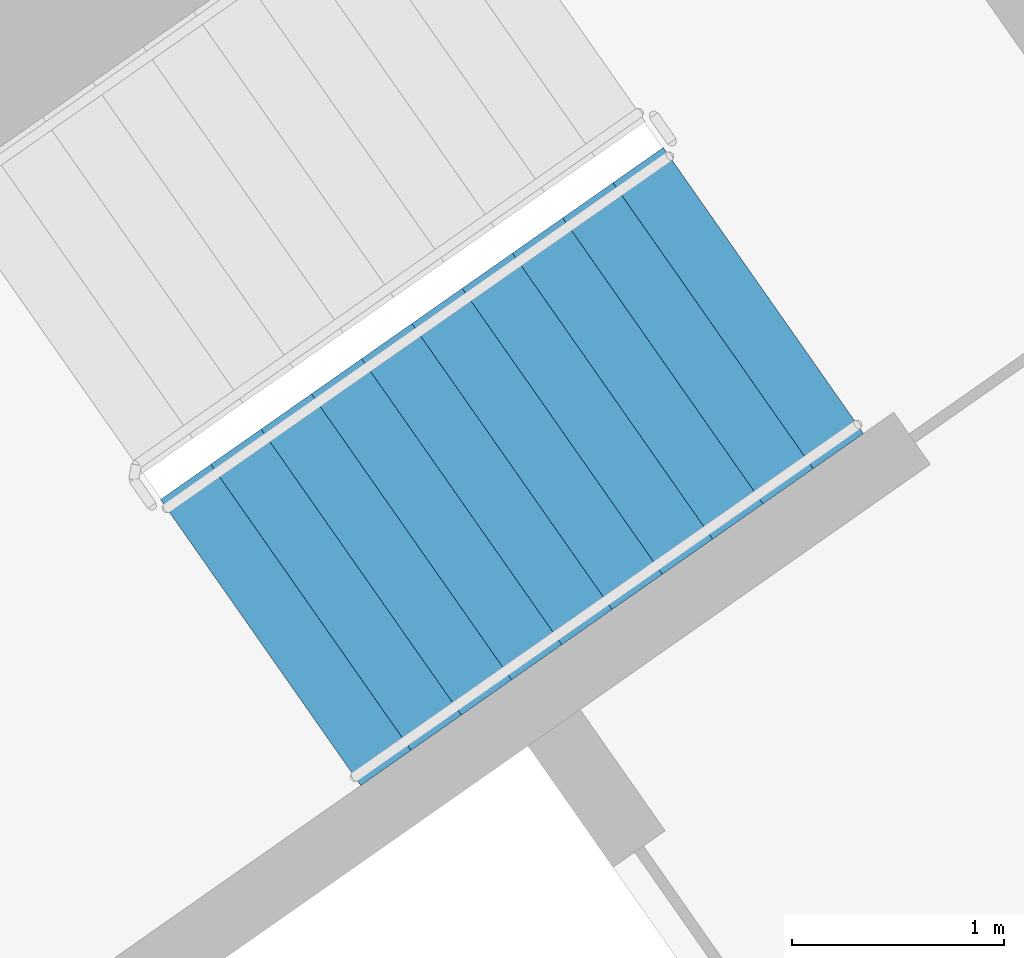
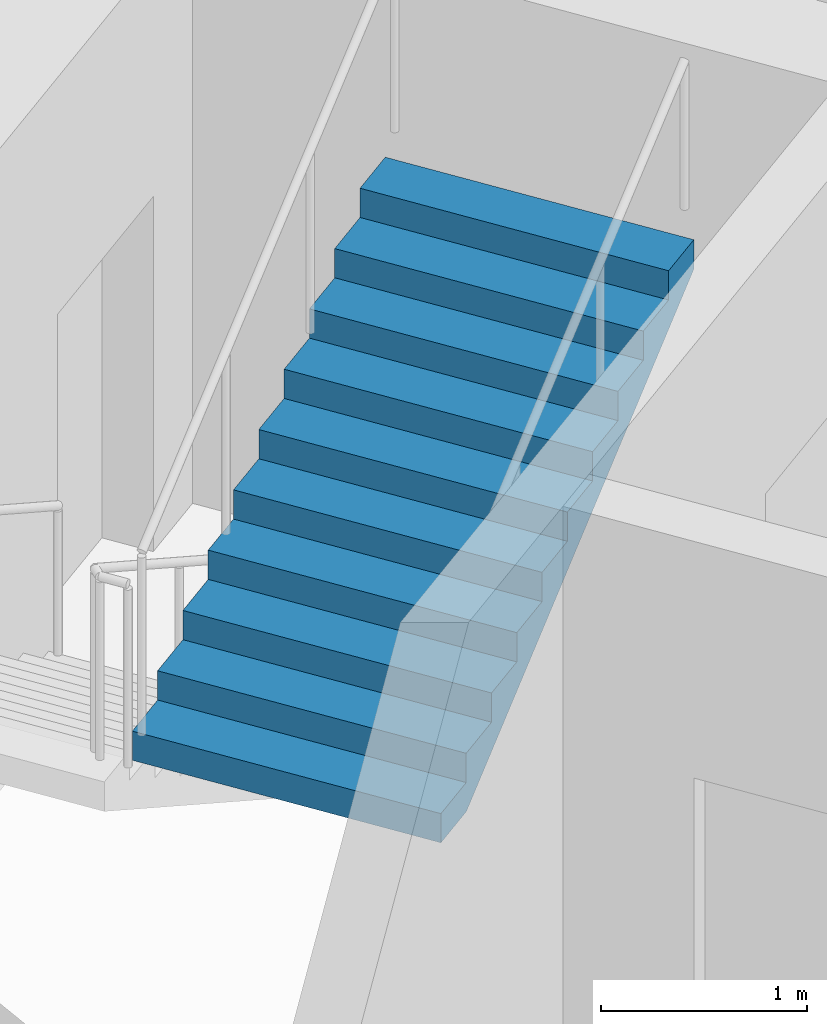
# One storey, part 15 of 27: 1 stair flight, 1 element without a shape of its own.
"""IFC4 building model written with IfcOpenShell, lengths in metres."""

from ifc_helpers import new_model, si_unit, direction, frame, origin, place, context, subcontext, project, spatial, faceted_brep, material, type_object, element, aggregate, save


model = new_model("IFC4")

# Units and contexts
model_context = context("Model", 3, precision=1e-05, world=origin(), true_north=direction((0.0, 1.0)))
body_context = subcontext(model_context, "Body", "Model", "MODEL_VIEW")
ifc_project = project(units=[si_unit("LENGTHUNIT", "METRE"), si_unit("AREAUNIT", "SQUARE_METRE"), si_unit("VOLUMEUNIT", "CUBIC_METRE"), si_unit("PLANEANGLEUNIT", "RADIAN"), si_unit("MASSUNIT", "GRAM", prefix="KILO")], contexts=[model_context])

# Site, building, storey
site_placement = place(None, origin())
site = spatial("IfcSite", under=ifc_project, at=site_placement, CompositionType="ELEMENT")
building_placement = place(site_placement, origin())
building = spatial("IfcBuilding", under=site, at=building_placement, Name="Qamariyya Broadcast Tower", CompositionType="ELEMENT")
storey_placement = place(building_placement, frame((0.0, 0.0, 164.5)))
storey = spatial("IfcBuildingStorey", under=building, at=storey_placement, Name="L38", CompositionType="ELEMENT", Elevation=164.5)

# Stair, stair flight
ifc_material = material(Name="Concrete C50/60", Category="concrete")
stair_type = type_object("IfcStairType", Name="Exit stair 22 risers of 173 mm", PredefinedType="HALF_TURN_STAIR", material=ifc_material)
stair_placement = place(storey_placement, origin())
stair = element("IfcStair", 1, at=stair_placement, inside=storey, type_object=stair_type, Name="L38 Stair E2", PredefinedType="HALF_TURN_STAIR")
stair_flight_type = type_object("IfcStairFlightType", Name="Exit stair flight 11 risers of 173 mm", PredefinedType="STRAIGHT", material=ifc_material)
stair_flight_placement = place(storey_placement, frame((39.215576171875, -50.822998046875, 1.89990234375), z_axis=(0.0, 0.0, 1.0), x_axis=(0.819152044289, 0.573576436351, 0.0)))
stair_flight = element("IfcStairFlight", 2, at=stair_flight_placement, type_object=stair_flight_type, Name="ST-E2 flight 2", NumberOfRisers=11, NumberOfTreads=10, PredefinedType="STRAIGHT", RiserHeight=0.172727273, TreadLength=0.29, context=body_context, shape_type="Brep", body=[
    faceted_brep([(0.0, 0.824951171875, 0.0), (0.0, 0.824951171875, 0.172607421875), (0.2900390625, 0.824951171875, 0.172607421875), (0.2900390625, 0.824951171875, 0.345458984375), (0.580078125, 0.824951171875, 0.345458984375), (0.580078125, 0.824951171875, 0.51806640625), (0.8701171875, 0.824951171875, 0.51806640625), (0.8701171875, 0.824951171875, 0.69091796875), (1.159912109375, 0.824951171875, 0.69091796875), (1.159912109375, 0.824951171875, 0.863525390625), (1.449951171875, 0.824951171875, 0.863525390625), (1.449951171875, 0.824951171875, 1.036376953125), (1.739990234375, 0.824951171875, 1.036376953125), (1.739990234375, 0.824951171875, 1.208984375), (2.030029296875, 0.824951171875, 1.208984375), (2.030029296875, 0.824951171875, 1.3818359375), (2.320068359375, 0.824951171875, 1.3818359375), (2.320068359375, 0.824951171875, 1.554443359375), (2.610107421875, 0.824951171875, 1.554443359375), (2.610107421875, 0.824951171875, 1.727294921875), (2.89990234375, 0.824951171875, 1.727294921875), (2.89990234375, 0.824951171875, 1.552734375), (0.29296875, 0.824951171875, 0.0), (0.29296875, -0.824951171875, 0.0), (2.89990234375, -0.824951171875, 1.552734375), (2.89990234375, -0.824951171875, 1.727294921875), (2.610107421875, -0.824951171875, 1.727294921875), (2.610107421875, -0.824951171875, 1.554443359375), (2.320068359375, -0.824951171875, 1.554443359375), (2.320068359375, -0.824951171875, 1.3818359375), (2.030029296875, -0.824951171875, 1.3818359375), (2.030029296875, -0.824951171875, 1.208984375), (1.739990234375, -0.824951171875, 1.208984375), (1.739990234375, -0.824951171875, 1.036376953125), (1.449951171875, -0.824951171875, 1.036376953125), (1.449951171875, -0.824951171875, 0.863525390625), (1.159912109375, -0.824951171875, 0.863525390625), (1.159912109375, -0.824951171875, 0.69091796875), (0.8701171875, -0.824951171875, 0.69091796875), (0.8701171875, -0.824951171875, 0.51806640625), (0.580078125, -0.824951171875, 0.51806640625), (0.580078125, -0.824951171875, 0.345458984375), (0.2900390625, -0.824951171875, 0.345458984375), (0.2900390625, -0.824951171875, 0.172607421875), (0.0, -0.824951171875, 0.172607421875), (0.0, -0.824951171875, 0.0), (0.0, 0.10009765625, 0.0), (0.0, 0.086669921875, 0.0), (0.0, 0.0732421875, 0.0), (0.0, 0.06005859375, 0.0), (0.0, 0.046630859375, 0.0), (0.0, 0.033447265625, 0.0), (0.0, 0.02001953125, 0.0), (0.0, 0.006591796875, 0.0), (0.0, -0.006591796875, 0.0), (0.0, -0.02001953125, 0.0), (0.0, -0.033447265625, 0.0), (0.0, -0.046630859375, 0.0), (0.0, -0.06005859375, 0.0), (0.0, -0.0732421875, 0.0), (0.0, -0.086669921875, 0.0), (0.0, -0.10009765625, 0.0), (0.0, -0.10009765625, 0.172607421875), (0.0, -0.086669921875, 0.172607421875), (0.0, -0.0732421875, 0.172607421875), (0.0, -0.06005859375, 0.172607421875), (0.0, -0.046630859375, 0.172607421875), (0.0, -0.033447265625, 0.172607421875), (0.0, -0.02001953125, 0.172607421875), (0.0, -0.006591796875, 0.172607421875), (0.0, 0.006591796875, 0.172607421875), (0.0, 0.02001953125, 0.172607421875), (0.0, 0.033447265625, 0.172607421875), (0.0, 0.046630859375, 0.172607421875), (0.0, 0.06005859375, 0.172607421875), (0.0, 0.0732421875, 0.172607421875), (0.0, 0.086669921875, 0.172607421875), (0.0, 0.10009765625, 0.172607421875), (0.2900390625, -0.10009765625, 0.172607421875), (0.2900390625, -0.086669921875, 0.172607421875), (0.2900390625, -0.0732421875, 0.172607421875), (0.2900390625, -0.06005859375, 0.172607421875), (0.2900390625, -0.046630859375, 0.172607421875), (0.2900390625, -0.033447265625, 0.172607421875), (0.2900390625, -0.02001953125, 0.172607421875), (0.2900390625, -0.006591796875, 0.172607421875), (0.2900390625, 0.006591796875, 0.172607421875), (0.2900390625, 0.02001953125, 0.172607421875), (0.2900390625, 0.033447265625, 0.172607421875), (0.2900390625, 0.046630859375, 0.172607421875), (0.2900390625, 0.06005859375, 0.172607421875), (0.2900390625, 0.0732421875, 0.172607421875), (0.2900390625, 0.086669921875, 0.172607421875), (0.2900390625, 0.10009765625, 0.172607421875), (0.2900390625, -0.10009765625, 0.345458984375), (0.2900390625, -0.086669921875, 0.345458984375), (0.2900390625, -0.0732421875, 0.345458984375), (0.2900390625, -0.06005859375, 0.345458984375), (0.2900390625, -0.046630859375, 0.345458984375), (0.2900390625, -0.033447265625, 0.345458984375), (0.2900390625, -0.02001953125, 0.345458984375), (0.2900390625, -0.006591796875, 0.345458984375), (0.2900390625, 0.006591796875, 0.345458984375), (0.2900390625, 0.02001953125, 0.345458984375), (0.2900390625, 0.033447265625, 0.345458984375), (0.2900390625, 0.046630859375, 0.345458984375), (0.2900390625, 0.06005859375, 0.345458984375), (0.2900390625, 0.0732421875, 0.345458984375), (0.2900390625, 0.086669921875, 0.345458984375), (0.2900390625, 0.10009765625, 0.345458984375), (0.580078125, -0.10009765625, 0.345458984375), (0.580078125, -0.086669921875, 0.345458984375), (0.580078125, -0.0732421875, 0.345458984375), (0.580078125, -0.06005859375, 0.345458984375), (0.580078125, -0.046630859375, 0.345458984375), (0.580078125, -0.033447265625, 0.345458984375), (0.580078125, -0.02001953125, 0.345458984375), (0.580078125, -0.006591796875, 0.345458984375), (0.580078125, 0.006591796875, 0.345458984375), (0.580078125, 0.02001953125, 0.345458984375), (0.580078125, 0.033447265625, 0.345458984375), (0.580078125, 0.046630859375, 0.345458984375), (0.580078125, 0.06005859375, 0.345458984375), (0.580078125, 0.0732421875, 0.345458984375), (0.580078125, 0.086669921875, 0.345458984375), (0.580078125, 0.10009765625, 0.345458984375), (0.580078125, -0.10009765625, 0.51806640625), (0.580078125, -0.086669921875, 0.51806640625), (0.580078125, -0.0732421875, 0.51806640625), (0.580078125, -0.06005859375, 0.51806640625), (0.580078125, -0.046630859375, 0.51806640625), (0.580078125, -0.033447265625, 0.51806640625), (0.580078125, -0.02001953125, 0.51806640625), (0.580078125, -0.006591796875, 0.51806640625), (0.580078125, 0.006591796875, 0.51806640625), (0.580078125, 0.02001953125, 0.51806640625), (0.580078125, 0.033447265625, 0.51806640625), (0.580078125, 0.046630859375, 0.51806640625), (0.580078125, 0.06005859375, 0.51806640625), (0.580078125, 0.0732421875, 0.51806640625), (0.580078125, 0.086669921875, 0.51806640625), (0.580078125, 0.10009765625, 0.51806640625), (0.8701171875, -0.10009765625, 0.51806640625), (0.8701171875, -0.086669921875, 0.51806640625), (0.8701171875, -0.0732421875, 0.51806640625), (0.8701171875, -0.06005859375, 0.51806640625), (0.8701171875, -0.046630859375, 0.51806640625), (0.8701171875, -0.033447265625, 0.51806640625), (0.8701171875, -0.02001953125, 0.51806640625), (0.8701171875, -0.006591796875, 0.51806640625), (0.8701171875, 0.006591796875, 0.51806640625), (0.8701171875, 0.02001953125, 0.51806640625), (0.8701171875, 0.033447265625, 0.51806640625), (0.8701171875, 0.046630859375, 0.51806640625), (0.8701171875, 0.06005859375, 0.51806640625), (0.8701171875, 0.0732421875, 0.51806640625), (0.8701171875, 0.086669921875, 0.51806640625), (0.8701171875, 0.10009765625, 0.51806640625), (0.8701171875, -0.10009765625, 0.69091796875), (0.8701171875, -0.086669921875, 0.69091796875), (0.8701171875, -0.0732421875, 0.69091796875), (0.8701171875, -0.06005859375, 0.69091796875), (0.8701171875, -0.046630859375, 0.69091796875), (0.8701171875, -0.033447265625, 0.69091796875), (0.8701171875, -0.02001953125, 0.69091796875), (0.8701171875, -0.006591796875, 0.69091796875), (0.8701171875, 0.006591796875, 0.69091796875), (0.8701171875, 0.02001953125, 0.69091796875), (0.8701171875, 0.033447265625, 0.69091796875), (0.8701171875, 0.046630859375, 0.69091796875), (0.8701171875, 0.06005859375, 0.69091796875), (0.8701171875, 0.0732421875, 0.69091796875), (0.8701171875, 0.086669921875, 0.69091796875), (0.8701171875, 0.10009765625, 0.69091796875), (1.159912109375, -0.10009765625, 0.69091796875), (1.159912109375, -0.086669921875, 0.69091796875), (1.159912109375, -0.0732421875, 0.69091796875), (1.159912109375, -0.06005859375, 0.69091796875), (1.159912109375, -0.046630859375, 0.69091796875), (1.159912109375, -0.033447265625, 0.69091796875), (1.159912109375, -0.02001953125, 0.69091796875), (1.159912109375, -0.006591796875, 0.69091796875), (1.159912109375, 0.006591796875, 0.69091796875), (1.159912109375, 0.02001953125, 0.69091796875), (1.159912109375, 0.033447265625, 0.69091796875), (1.159912109375, 0.046630859375, 0.69091796875), (1.159912109375, 0.06005859375, 0.69091796875), (1.159912109375, 0.0732421875, 0.69091796875), (1.159912109375, 0.086669921875, 0.69091796875), (1.159912109375, 0.10009765625, 0.69091796875), (1.159912109375, -0.10009765625, 0.863525390625), (1.159912109375, -0.086669921875, 0.863525390625), (1.159912109375, -0.0732421875, 0.863525390625), (1.159912109375, -0.06005859375, 0.863525390625), (1.159912109375, -0.046630859375, 0.863525390625), (1.159912109375, -0.033447265625, 0.863525390625), (1.159912109375, -0.02001953125, 0.863525390625), (1.159912109375, -0.006591796875, 0.863525390625), (1.159912109375, 0.006591796875, 0.863525390625), (1.159912109375, 0.02001953125, 0.863525390625), (1.159912109375, 0.033447265625, 0.863525390625), (1.159912109375, 0.046630859375, 0.863525390625), (1.159912109375, 0.06005859375, 0.863525390625), (1.159912109375, 0.0732421875, 0.863525390625), (1.159912109375, 0.086669921875, 0.863525390625), (1.159912109375, 0.10009765625, 0.863525390625), (1.449951171875, -0.10009765625, 0.863525390625), (1.449951171875, -0.086669921875, 0.863525390625), (1.449951171875, -0.0732421875, 0.863525390625), (1.449951171875, -0.06005859375, 0.863525390625), (1.449951171875, -0.046630859375, 0.863525390625), (1.449951171875, -0.033447265625, 0.863525390625), (1.449951171875, -0.02001953125, 0.863525390625), (1.449951171875, -0.006591796875, 0.863525390625), (1.449951171875, 0.006591796875, 0.863525390625), (1.449951171875, 0.02001953125, 0.863525390625), (1.449951171875, 0.033447265625, 0.863525390625), (1.449951171875, 0.046630859375, 0.863525390625), (1.449951171875, 0.06005859375, 0.863525390625), (1.449951171875, 0.0732421875, 0.863525390625), (1.449951171875, 0.086669921875, 0.863525390625), (1.449951171875, 0.10009765625, 0.863525390625), (1.449951171875, -0.10009765625, 1.036376953125), (1.449951171875, -0.086669921875, 1.036376953125), (1.449951171875, -0.0732421875, 1.036376953125), (1.449951171875, -0.06005859375, 1.036376953125), (1.449951171875, -0.046630859375, 1.036376953125), (1.449951171875, -0.033447265625, 1.036376953125), (1.449951171875, -0.02001953125, 1.036376953125), (1.449951171875, -0.006591796875, 1.036376953125), (1.449951171875, 0.006591796875, 1.036376953125), (1.449951171875, 0.02001953125, 1.036376953125), (1.449951171875, 0.033447265625, 1.036376953125), (1.449951171875, 0.046630859375, 1.036376953125), (1.449951171875, 0.06005859375, 1.036376953125), (1.449951171875, 0.0732421875, 1.036376953125), (1.449951171875, 0.086669921875, 1.036376953125), (1.449951171875, 0.10009765625, 1.036376953125), (1.739990234375, -0.10009765625, 1.036376953125), (1.739990234375, -0.086669921875, 1.036376953125), (1.739990234375, -0.0732421875, 1.036376953125), (1.739990234375, -0.06005859375, 1.036376953125), (1.739990234375, -0.046630859375, 1.036376953125), (1.739990234375, -0.033447265625, 1.036376953125), (1.739990234375, -0.02001953125, 1.036376953125), (1.739990234375, -0.006591796875, 1.036376953125), (1.739990234375, 0.006591796875, 1.036376953125), (1.739990234375, 0.02001953125, 1.036376953125), (1.739990234375, 0.033447265625, 1.036376953125), (1.739990234375, 0.046630859375, 1.036376953125), (1.739990234375, 0.06005859375, 1.036376953125), (1.739990234375, 0.0732421875, 1.036376953125), (1.739990234375, 0.086669921875, 1.036376953125), (1.739990234375, 0.10009765625, 1.036376953125), (1.739990234375, -0.10009765625, 1.208984375), (1.739990234375, -0.086669921875, 1.208984375), (1.739990234375, -0.0732421875, 1.208984375), (1.739990234375, -0.06005859375, 1.208984375), (1.739990234375, -0.046630859375, 1.208984375), (1.739990234375, -0.033447265625, 1.208984375), (1.739990234375, -0.02001953125, 1.208984375), (1.739990234375, -0.006591796875, 1.208984375), (1.739990234375, 0.006591796875, 1.208984375), (1.739990234375, 0.02001953125, 1.208984375), (1.739990234375, 0.033447265625, 1.208984375), (1.739990234375, 0.046630859375, 1.208984375), (1.739990234375, 0.06005859375, 1.208984375), (1.739990234375, 0.0732421875, 1.208984375), (1.739990234375, 0.086669921875, 1.208984375), (1.739990234375, 0.10009765625, 1.208984375), (2.030029296875, -0.10009765625, 1.208984375), (2.030029296875, -0.086669921875, 1.208984375), (2.030029296875, -0.0732421875, 1.208984375), (2.030029296875, -0.06005859375, 1.208984375), (2.030029296875, -0.046630859375, 1.208984375), (2.030029296875, -0.033447265625, 1.208984375), (2.030029296875, -0.02001953125, 1.208984375), (2.030029296875, -0.006591796875, 1.208984375), (2.030029296875, 0.006591796875, 1.208984375), (2.030029296875, 0.02001953125, 1.208984375), (2.030029296875, 0.033447265625, 1.208984375), (2.030029296875, 0.046630859375, 1.208984375), (2.030029296875, 0.06005859375, 1.208984375), (2.030029296875, 0.0732421875, 1.208984375), (2.030029296875, 0.086669921875, 1.208984375), (2.030029296875, 0.10009765625, 1.208984375), (2.030029296875, -0.10009765625, 1.3818359375), (2.030029296875, -0.086669921875, 1.3818359375), (2.030029296875, -0.0732421875, 1.3818359375), (2.030029296875, -0.06005859375, 1.3818359375), (2.030029296875, -0.046630859375, 1.3818359375), (2.030029296875, -0.033447265625, 1.3818359375), (2.030029296875, -0.02001953125, 1.3818359375), (2.030029296875, -0.006591796875, 1.3818359375), (2.030029296875, 0.006591796875, 1.3818359375), (2.030029296875, 0.02001953125, 1.3818359375), (2.030029296875, 0.033447265625, 1.3818359375), (2.030029296875, 0.046630859375, 1.3818359375), (2.030029296875, 0.06005859375, 1.3818359375), (2.030029296875, 0.0732421875, 1.3818359375), (2.030029296875, 0.086669921875, 1.3818359375), (2.030029296875, 0.10009765625, 1.3818359375), (2.320068359375, -0.10009765625, 1.3818359375), (2.320068359375, -0.086669921875, 1.3818359375), (2.320068359375, -0.0732421875, 1.3818359375), (2.320068359375, -0.06005859375, 1.3818359375), (2.320068359375, -0.046630859375, 1.3818359375), (2.320068359375, -0.033447265625, 1.3818359375), (2.320068359375, -0.02001953125, 1.3818359375), (2.320068359375, -0.006591796875, 1.3818359375), (2.320068359375, 0.006591796875, 1.3818359375), (2.320068359375, 0.02001953125, 1.3818359375), (2.320068359375, 0.033447265625, 1.3818359375), (2.320068359375, 0.046630859375, 1.3818359375), (2.320068359375, 0.06005859375, 1.3818359375), (2.320068359375, 0.0732421875, 1.3818359375), (2.320068359375, 0.086669921875, 1.3818359375), (2.320068359375, 0.10009765625, 1.3818359375), (2.320068359375, -0.10009765625, 1.554443359375), (2.320068359375, -0.086669921875, 1.554443359375), (2.320068359375, -0.0732421875, 1.554443359375), (2.320068359375, -0.06005859375, 1.554443359375), (2.320068359375, -0.046630859375, 1.554443359375), (2.320068359375, -0.033447265625, 1.554443359375), (2.320068359375, -0.02001953125, 1.554443359375), (2.320068359375, -0.006591796875, 1.554443359375), (2.320068359375, 0.006591796875, 1.554443359375), (2.320068359375, 0.02001953125, 1.554443359375), (2.320068359375, 0.033447265625, 1.554443359375), (2.320068359375, 0.046630859375, 1.554443359375), (2.320068359375, 0.06005859375, 1.554443359375), (2.320068359375, 0.0732421875, 1.554443359375), (2.320068359375, 0.086669921875, 1.554443359375), (2.320068359375, 0.10009765625, 1.554443359375), (2.610107421875, -0.10009765625, 1.554443359375), (2.610107421875, -0.086669921875, 1.554443359375), (2.610107421875, -0.0732421875, 1.554443359375), (2.610107421875, -0.06005859375, 1.554443359375), (2.610107421875, -0.046630859375, 1.554443359375), (2.610107421875, -0.033447265625, 1.554443359375), (2.610107421875, -0.02001953125, 1.554443359375), (2.610107421875, -0.006591796875, 1.554443359375), (2.610107421875, 0.006591796875, 1.554443359375), (2.610107421875, 0.02001953125, 1.554443359375), (2.610107421875, 0.033447265625, 1.554443359375), (2.610107421875, 0.046630859375, 1.554443359375), (2.610107421875, 0.06005859375, 1.554443359375), (2.610107421875, 0.0732421875, 1.554443359375), (2.610107421875, 0.086669921875, 1.554443359375), (2.610107421875, 0.10009765625, 1.554443359375), (2.610107421875, -0.10009765625, 1.727294921875), (2.610107421875, -0.086669921875, 1.727294921875), (2.610107421875, -0.0732421875, 1.727294921875), (2.610107421875, -0.06005859375, 1.727294921875), (2.610107421875, -0.046630859375, 1.727294921875), (2.610107421875, -0.033447265625, 1.727294921875), (2.610107421875, -0.02001953125, 1.727294921875), (2.610107421875, -0.006591796875, 1.727294921875), (2.610107421875, 0.006591796875, 1.727294921875), (2.610107421875, 0.02001953125, 1.727294921875), (2.610107421875, 0.033447265625, 1.727294921875), (2.610107421875, 0.046630859375, 1.727294921875), (2.610107421875, 0.06005859375, 1.727294921875), (2.610107421875, 0.0732421875, 1.727294921875), (2.610107421875, 0.086669921875, 1.727294921875), (2.610107421875, 0.10009765625, 1.727294921875), (2.89990234375, -0.10009765625, 1.727294921875), (2.89990234375, -0.086669921875, 1.727294921875), (2.89990234375, -0.0732421875, 1.727294921875), (2.89990234375, -0.06005859375, 1.727294921875), (2.89990234375, -0.046630859375, 1.727294921875), (2.89990234375, -0.033447265625, 1.727294921875), (2.89990234375, -0.02001953125, 1.727294921875), (2.89990234375, -0.006591796875, 1.727294921875), (2.89990234375, 0.006591796875, 1.727294921875), (2.89990234375, 0.02001953125, 1.727294921875), (2.89990234375, 0.033447265625, 1.727294921875), (2.89990234375, 0.046630859375, 1.727294921875), (2.89990234375, 0.06005859375, 1.727294921875), (2.89990234375, 0.0732421875, 1.727294921875), (2.89990234375, 0.086669921875, 1.727294921875), (2.89990234375, 0.10009765625, 1.727294921875), (2.89990234375, -0.10009765625, 1.552734375), (2.89990234375, -0.086669921875, 1.552734375), (2.89990234375, -0.0732421875, 1.552734375), (2.89990234375, -0.06005859375, 1.552734375), (2.89990234375, -0.046630859375, 1.552734375), (2.89990234375, -0.033447265625, 1.552734375), (2.89990234375, -0.02001953125, 1.552734375), (2.89990234375, -0.006591796875, 1.552734375), (2.89990234375, 0.006591796875, 1.552734375), (2.89990234375, 0.02001953125, 1.552734375), (2.89990234375, 0.033447265625, 1.552734375), (2.89990234375, 0.046630859375, 1.552734375), (2.89990234375, 0.06005859375, 1.552734375), (2.89990234375, 0.0732421875, 1.552734375), (2.89990234375, 0.086669921875, 1.552734375), (2.89990234375, 0.10009765625, 1.552734375), (0.29296875, -0.10009765625, 0.0), (0.29296875, -0.086669921875, 0.0), (0.29296875, -0.0732421875, 0.0), (0.29296875, -0.06005859375, 0.0), (0.29296875, -0.046630859375, 0.0), (0.29296875, -0.033447265625, 0.0), (0.29296875, -0.02001953125, 0.0), (0.29296875, -0.006591796875, 0.0), (0.29296875, 0.006591796875, 0.0), (0.29296875, 0.02001953125, 0.0), (0.29296875, 0.033447265625, 0.0), (0.29296875, 0.046630859375, 0.0), (0.29296875, 0.06005859375, 0.0), (0.29296875, 0.0732421875, 0.0), (0.29296875, 0.086669921875, 0.0), (0.29296875, 0.10009765625, 0.0)], [[[0, 1, 2, 3, 4, 5, 6, 7, 8, 9, 10, 11, 12, 13, 14, 15, 16, 17, 18, 19, 20, 21, 22]], [[23, 24, 25, 26, 27, 28, 29, 30, 31, 32, 33, 34, 35, 36, 37, 38, 39, 40, 41, 42, 43, 44, 45]], [[0, 46, 47, 48, 49, 50, 51, 52, 53, 54, 55, 56, 57, 58, 59, 60, 61, 45, 44, 62, 63, 64, 65, 66, 67, 68, 69, 70, 71, 72, 73, 74, 75, 76, 77, 1]], [[1, 77, 76, 75, 74, 73, 72, 71, 70, 69, 68, 67, 66, 65, 64, 63, 62, 44, 43, 78, 79, 80, 81, 82, 83, 84, 85, 86, 87, 88, 89, 90, 91, 92, 93, 2]], [[2, 93, 92, 91, 90, 89, 88, 87, 86, 85, 84, 83, 82, 81, 80, 79, 78, 43, 42, 94, 95, 96, 97, 98, 99, 100, 101, 102, 103, 104, 105, 106, 107, 108, 109, 3]], [[3, 109, 108, 107, 106, 105, 104, 103, 102, 101, 100, 99, 98, 97, 96, 95, 94, 42, 41, 110, 111, 112, 113, 114, 115, 116, 117, 118, 119, 120, 121, 122, 123, 124, 125, 4]], [[4, 125, 124, 123, 122, 121, 120, 119, 118, 117, 116, 115, 114, 113, 112, 111, 110, 41, 40, 126, 127, 128, 129, 130, 131, 132, 133, 134, 135, 136, 137, 138, 139, 140, 141, 5]], [[5, 141, 140, 139, 138, 137, 136, 135, 134, 133, 132, 131, 130, 129, 128, 127, 126, 40, 39, 142, 143, 144, 145, 146, 147, 148, 149, 150, 151, 152, 153, 154, 155, 156, 157, 6]], [[6, 157, 156, 155, 154, 153, 152, 151, 150, 149, 148, 147, 146, 145, 144, 143, 142, 39, 38, 158, 159, 160, 161, 162, 163, 164, 165, 166, 167, 168, 169, 170, 171, 172, 173, 7]], [[7, 173, 172, 171, 170, 169, 168, 167, 166, 165, 164, 163, 162, 161, 160, 159, 158, 38, 37, 174, 175, 176, 177, 178, 179, 180, 181, 182, 183, 184, 185, 186, 187, 188, 189, 8]], [[8, 189, 188, 187, 186, 185, 184, 183, 182, 181, 180, 179, 178, 177, 176, 175, 174, 37, 36, 190, 191, 192, 193, 194, 195, 196, 197, 198, 199, 200, 201, 202, 203, 204, 205, 9]], [[9, 205, 204, 203, 202, 201, 200, 199, 198, 197, 196, 195, 194, 193, 192, 191, 190, 36, 35, 206, 207, 208, 209, 210, 211, 212, 213, 214, 215, 216, 217, 218, 219, 220, 221, 10]], [[10, 221, 220, 219, 218, 217, 216, 215, 214, 213, 212, 211, 210, 209, 208, 207, 206, 35, 34, 222, 223, 224, 225, 226, 227, 228, 229, 230, 231, 232, 233, 234, 235, 236, 237, 11]], [[11, 237, 236, 235, 234, 233, 232, 231, 230, 229, 228, 227, 226, 225, 224, 223, 222, 34, 33, 238, 239, 240, 241, 242, 243, 244, 245, 246, 247, 248, 249, 250, 251, 252, 253, 12]], [[12, 253, 252, 251, 250, 249, 248, 247, 246, 245, 244, 243, 242, 241, 240, 239, 238, 33, 32, 254, 255, 256, 257, 258, 259, 260, 261, 262, 263, 264, 265, 266, 267, 268, 269, 13]], [[13, 269, 268, 267, 266, 265, 264, 263, 262, 261, 260, 259, 258, 257, 256, 255, 254, 32, 31, 270, 271, 272, 273, 274, 275, 276, 277, 278, 279, 280, 281, 282, 283, 284, 285, 14]], [[14, 285, 284, 283, 282, 281, 280, 279, 278, 277, 276, 275, 274, 273, 272, 271, 270, 31, 30, 286, 287, 288, 289, 290, 291, 292, 293, 294, 295, 296, 297, 298, 299, 300, 301, 15]], [[15, 301, 300, 299, 298, 297, 296, 295, 294, 293, 292, 291, 290, 289, 288, 287, 286, 30, 29, 302, 303, 304, 305, 306, 307, 308, 309, 310, 311, 312, 313, 314, 315, 316, 317, 16]], [[16, 317, 316, 315, 314, 313, 312, 311, 310, 309, 308, 307, 306, 305, 304, 303, 302, 29, 28, 318, 319, 320, 321, 322, 323, 324, 325, 326, 327, 328, 329, 330, 331, 332, 333, 17]], [[17, 333, 332, 331, 330, 329, 328, 327, 326, 325, 324, 323, 322, 321, 320, 319, 318, 28, 27, 334, 335, 336, 337, 338, 339, 340, 341, 342, 343, 344, 345, 346, 347, 348, 349, 18]], [[18, 349, 348, 347, 346, 345, 344, 343, 342, 341, 340, 339, 338, 337, 336, 335, 334, 27, 26, 350, 351, 352, 353, 354, 355, 356, 357, 358, 359, 360, 361, 362, 363, 364, 365, 19]], [[19, 365, 364, 363, 362, 361, 360, 359, 358, 357, 356, 355, 354, 353, 352, 351, 350, 26, 25, 366, 367, 368, 369, 370, 371, 372, 373, 374, 375, 376, 377, 378, 379, 380, 381, 20]], [[20, 381, 380, 379, 378, 377, 376, 375, 374, 373, 372, 371, 370, 369, 368, 367, 366, 25, 24, 382, 383, 384, 385, 386, 387, 388, 389, 390, 391, 392, 393, 394, 395, 396, 397, 21]], [[21, 397, 396, 395, 394, 393, 392, 391, 390, 389, 388, 387, 386, 385, 384, 383, 382, 24, 23, 398, 399, 400, 401, 402, 403, 404, 405, 406, 407, 408, 409, 410, 411, 412, 413, 22]], [[22, 413, 412, 411, 410, 409, 408, 407, 406, 405, 404, 403, 402, 401, 400, 399, 398, 23, 45, 61, 60, 59, 58, 57, 56, 55, 54, 53, 52, 51, 50, 49, 48, 47, 46, 0]]]),
])
aggregate(stair, [stair_flight])

save(model, "model.ifc")
